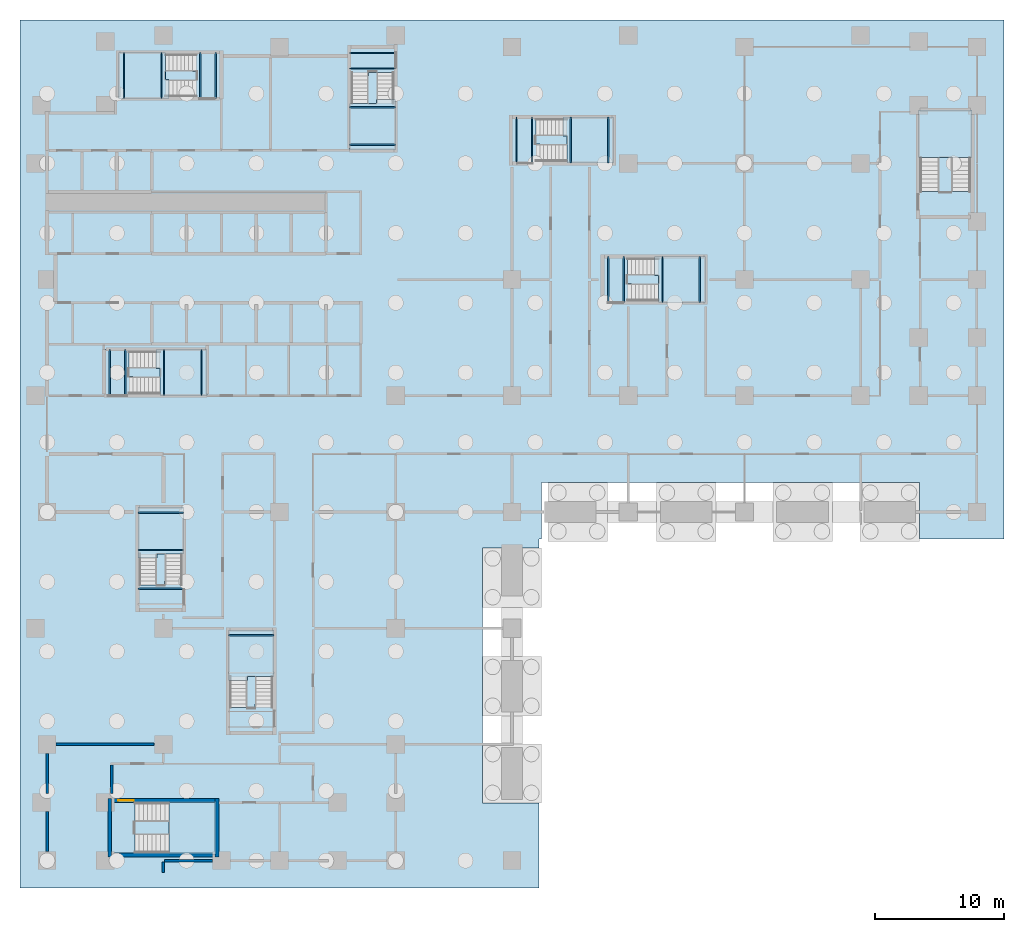
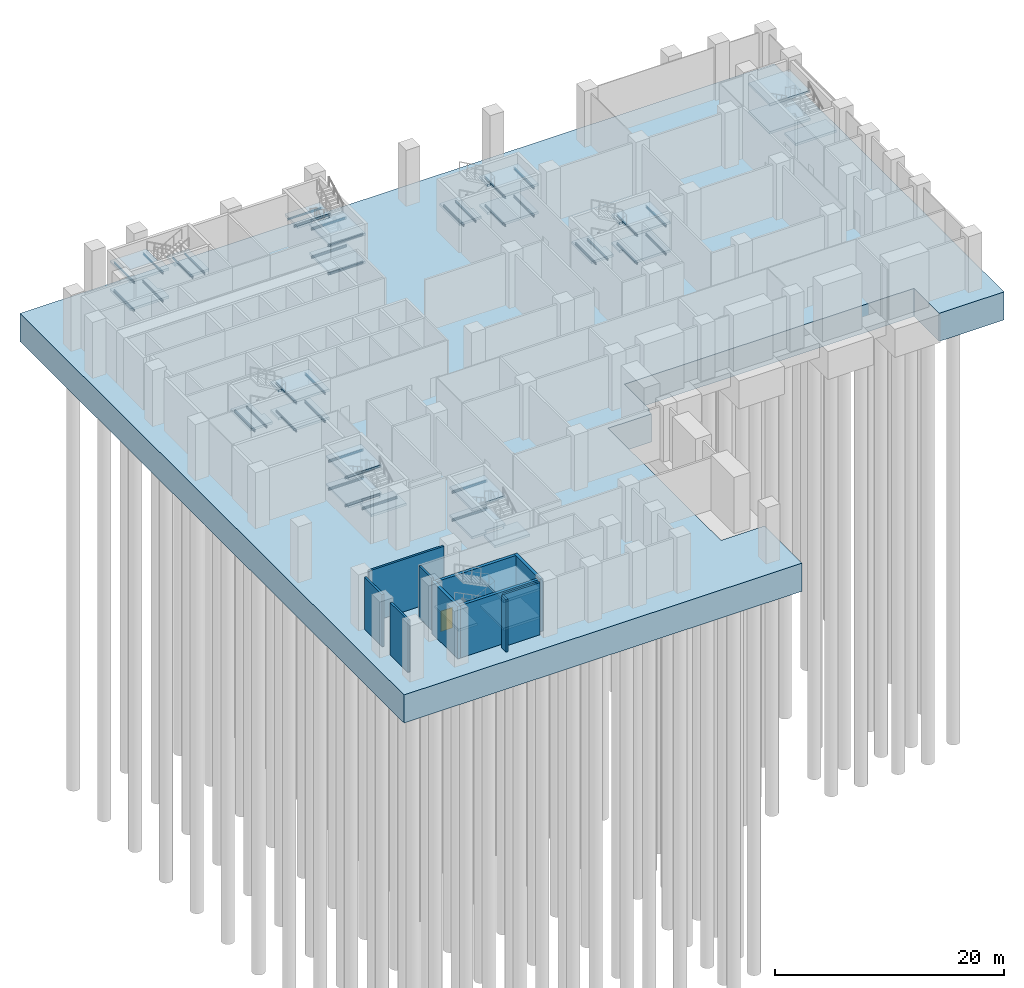
# One storey, part 2 of 12: 37 beams, 28 slabs, 10 walls, 1 door, 1 opening, 9 elements without a shape of their own.
"""IFC4 building model written with IfcOpenShell, lengths in metres."""

from ifc_helpers import new_model, si_unit, direction, frame, frame_2d, origin, origin_2d, place, context, subcontext, project, spatial, polyline, rectangle, i_section, outline, extrude, material, layer, layer_set, material_profile, profile_set, type_object, element, fill, aggregate, save


model = new_model("IFC4")

# Units and contexts
model_context = context("Model", 3, precision=1e-05, world=origin(), true_north=direction((0.0, 1.0)))
body_context = subcontext(model_context, "Body", "Model", "MODEL_VIEW")
ifc_project = project(units=[si_unit("LENGTHUNIT", "METRE"), si_unit("AREAUNIT", "SQUARE_METRE"), si_unit("VOLUMEUNIT", "CUBIC_METRE"), si_unit("PLANEANGLEUNIT", "RADIAN"), si_unit("MASSUNIT", "GRAM", prefix="KILO")], contexts=[model_context])

# Site, building, storey
site_placement = place(None, origin())
site = spatial("IfcSite", under=ifc_project, at=site_placement, CompositionType="ELEMENT")
building_placement = place(site_placement, origin())
building = spatial("IfcBuilding", under=site, at=building_placement, Name="Brondeck Convention Tower", CompositionType="ELEMENT")
storey_placement = place(building_placement, frame((0.0, 0.0, -6.0)))
storey = spatial("IfcBuildingStorey", under=building, at=storey_placement, Name="B1", CompositionType="ELEMENT", Elevation=-6.0)

# Beams
ifc_material_1 = material(Name="Steel S355", Category="steel")
ifc_material_profile = material_profile(ifc_material_1, i_section(OverallWidth=0.10009765625, OverallDepth=0.199951171875, WebThickness=0.005615234375, FlangeThickness=0.008544921875, FilletRadius=0.011962890625, at=origin_2d()), Name="IPE200")
ifc_profile_set = profile_set([ifc_material_profile], Name="Steel S355")
beam_type = type_object("IfcBeamType", Name="Landing ledger beam IPE 200", PredefinedType="BEAM", material=ifc_profile_set)
for number, where, z_axis, x_axis, name in (
    (1, (9.050048828125, 36.030029296875, 1.14990234375), (0.0, 1.0, 0.0), (-1.0, 0.0, 0.0), "B1 ST-1 landing beam"),
    (2, (11.949951171875, 36.030029296875, 1.14990234375), (0.0, 1.0, 0.0), (-1.0, 0.0, 0.0), "B1 ST-1 landing beam"),
    (3, (4.85009765625, 36.030029296875, 2.64990234375), (0.0, 1.0, 0.0), (-1.0, 0.0, 0.0), "B1 ST-1 landing beam"),
    (4, (6.050048828125, 36.030029296875, 2.64990234375), (0.0, 1.0, 0.0), (-1.0, 0.0, 0.0), "B1 ST-1 landing beam"),
    (5, (9.050048828125, 36.030029296875, 4.14990234375), (0.0, 1.0, 0.0), (-1.0, 0.0, 0.0), "B1 ST-1 landing beam"),
    (6, (11.949951171875, 36.030029296875, 4.14990234375), (0.0, 1.0, 0.0), (-1.0, 0.0, 0.0), "B1 ST-1 landing beam"),
    (7, (23.429931640625, 58.35009765625, 1.14990234375), (1.0, 0.0, 0.0), (0.0, 1.0, 0.0), "B1 ST-2 landing beam"),
    (8, (23.429931640625, 55.449951171875, 1.14990234375), (1.0, 0.0, 0.0), (0.0, 1.0, 0.0), "B1 ST-2 landing beam"),
    (9, (23.429931640625, 62.550048828125, 2.64990234375), (1.0, 0.0, 0.0), (0.0, 1.0, 0.0), "B1 ST-2 landing beam"),
    (10, (23.429931640625, 61.35009765625, 2.64990234375), (1.0, 0.0, 0.0), (0.0, 1.0, 0.0), "B1 ST-2 landing beam"),
    (11, (23.429931640625, 58.35009765625, 4.14990234375), (1.0, 0.0, 0.0), (0.0, 1.0, 0.0), "B1 ST-2 landing beam"),
    (12, (23.429931640625, 55.449951171875, 4.14990234375), (1.0, 0.0, 0.0), (0.0, 1.0, 0.0), "B1 ST-2 landing beam"),
    (13, (8.85009765625, 62.570068359375, 1.14990234375), (0.0, -1.0, 0.0), (1.0, 0.0, 0.0), "B1 ST-3 landing beam"),
    (14, (5.949951171875, 62.570068359375, 1.14990234375), (0.0, -1.0, 0.0), (1.0, 0.0, 0.0), "B1 ST-3 landing beam"),
    (15, (13.050048828125, 62.570068359375, 2.64990234375), (0.0, -1.0, 0.0), (1.0, 0.0, 0.0), "B1 ST-3 landing beam"),
    (16, (11.85009765625, 62.570068359375, 2.64990234375), (0.0, -1.0, 0.0), (1.0, 0.0, 0.0), "B1 ST-3 landing beam"),
    (17, (8.85009765625, 62.570068359375, 4.14990234375), (0.0, -1.0, 0.0), (1.0, 0.0, 0.0), "B1 ST-3 landing beam"),
    (18, (5.949951171875, 62.570068359375, 4.14990234375), (0.0, -1.0, 0.0), (1.0, 0.0, 0.0), "B1 ST-3 landing beam"),
    (19, (40.550048828125, 54.030029296875, 1.14990234375), (0.0, 1.0, 0.0), (-1.0, 0.0, 0.0), "B1 ST-AE landing beam"),
    (20, (43.449951171875, 54.030029296875, 1.14990234375), (0.0, 1.0, 0.0), (-1.0, 0.0, 0.0), "B1 ST-AE landing beam"),
    (21, (36.35009765625, 54.030029296875, 2.64990234375), (0.0, 1.0, 0.0), (-1.0, 0.0, 0.0), "B1 ST-AE landing beam"),
    (22, (37.550048828125, 54.030029296875, 2.64990234375), (0.0, 1.0, 0.0), (-1.0, 0.0, 0.0), "B1 ST-AE landing beam"),
    (23, (40.550048828125, 54.030029296875, 4.14990234375), (0.0, 1.0, 0.0), (-1.0, 0.0, 0.0), "B1 ST-AE landing beam"),
    (24, (43.449951171875, 54.030029296875, 4.14990234375), (0.0, 1.0, 0.0), (-1.0, 0.0, 0.0), "B1 ST-AE landing beam"),
    (25, (10.570068359375, 24.050048828125, 1.14990234375), (-1.0, 0.0, 0.0), (0.0, -1.0, 0.0), "B1 ST-BE landing beam"),
    (26, (10.570068359375, 26.949951171875, 1.14990234375), (-1.0, 0.0, 0.0), (0.0, -1.0, 0.0), "B1 ST-BE landing beam"),
    (27, (10.570068359375, 21.050048828125, 2.64990234375), (-1.0, 0.0, 0.0), (0.0, -1.0, 0.0), "B1 ST-BE landing beam"),
    (28, (10.570068359375, 24.050048828125, 4.14990234375), (-1.0, 0.0, 0.0), (0.0, -1.0, 0.0), "B1 ST-BE landing beam"),
    (29, (10.570068359375, 26.949951171875, 4.14990234375), (-1.0, 0.0, 0.0), (0.0, -1.0, 0.0), "B1 ST-BE landing beam"),
    (30, (47.64990234375, 43.22998046875, 1.14990234375), (0.0, 1.0, 0.0), (-1.0, 0.0, 0.0), "B1 ST-AF landing beam"),
    (31, (50.550048828125, 43.22998046875, 1.14990234375), (0.0, 1.0, 0.0), (-1.0, 0.0, 0.0), "B1 ST-AF landing beam"),
    (32, (43.449951171875, 43.22998046875, 2.64990234375), (0.0, 1.0, 0.0), (-1.0, 0.0, 0.0), "B1 ST-AF landing beam"),
    (33, (44.64990234375, 43.22998046875, 2.64990234375), (0.0, 1.0, 0.0), (-1.0, 0.0, 0.0), "B1 ST-AF landing beam"),
    (34, (47.64990234375, 43.22998046875, 4.14990234375), (0.0, 1.0, 0.0), (-1.0, 0.0, 0.0), "B1 ST-AF landing beam"),
    (35, (50.550048828125, 43.22998046875, 4.14990234375), (0.0, 1.0, 0.0), (-1.0, 0.0, 0.0), "B1 ST-AF landing beam"),
    (36, (17.570068359375, 17.449951171875, 1.14990234375), (-1.0, 0.0, 0.0), (0.0, -1.0, 0.0), "B1 ST-BF landing beam"),
    (37, (17.570068359375, 17.449951171875, 4.14990234375), (-1.0, 0.0, 0.0), (0.0, -1.0, 0.0), "B1 ST-BF landing beam"),
):
    element("IfcBeam", number, at=place(storey_placement, frame(where, z_axis=z_axis, x_axis=x_axis)), inside=storey, type_object=beam_type, Name=name, PredefinedType="BEAM", context=body_context, shape_type="SweptSolid", body=[
        extrude(i_section(OverallWidth=0.10009765625, OverallDepth=0.199951171875, WebThickness=0.005615234375, FlangeThickness=0.008544921875, FilletRadius=0.011962890625, at=origin_2d()), origin(), (0.0, 0.0, 1.0), 3.5400390625),
    ])

# Stair, slabs
ifc_material_2 = material(Name="Precast concrete C50/60", Category="concrete")
stair_type_1 = type_object("IfcStairType", Name="Core stair 36 risers 166.67 mm riser 300 mm going 1350 wide", PredefinedType="HALF_TURN_STAIR", material=ifc_material_2)
stair_1_placement = place(storey_placement, origin())
stair_1 = element("IfcStair", 38, at=stair_1_placement, inside=storey, type_object=stair_type_1, Name="ST-1 B1 stair", PredefinedType="HALF_TURN_STAIR")
ifc_layer_1 = layer(ifc_material_2, 0.25)
ifc_layer_set_1 = layer_set([ifc_layer_1], Name="Core stair landing 250 Precast concrete C50/60")
slab_type_1 = type_object("IfcSlabType", Name="Core stair landing 250 Precast concrete C50/60", PredefinedType="LANDING", material=ifc_layer_set_1)
slab_1_placement = place(storey_placement, frame((0.0, 0.0, 1.25)))
slab_1 = element("IfcSlab", 39, at=slab_1_placement, type_object=slab_type_1, Name="ST-1 landing 1", PredefinedType="LANDING", context=body_context, shape_type="SweptSolid", body=[
    extrude(outline(polyline([(8.748046875, 37.5), (8.75, 37.5), (8.75, 38.10009765625), (8.449951171875, 38.10009765625), (8.449951171875, 39.570068359375), (12.3701171875, 39.570068359375), (12.3701171875, 36.030029296875), (8.748046875, 36.030029296875), (8.748046875, 37.5)])), origin(), (0.0, 0.0, 1.0), 0.25),
])
slab_2_placement = place(storey_placement, frame((0.0, 0.0, 2.75)))
slab_2 = element("IfcSlab", 40, at=slab_2_placement, type_object=slab_type_1, Name="ST-1 landing 2", PredefinedType="LANDING", context=body_context, shape_type="SweptSolid", body=[
    extrude(outline(polyline([(6.64990234375, 37.5), (6.64990234375, 36.030029296875), (4.429931640625, 36.030029296875), (4.429931640625, 39.570068359375), (6.35205078125, 39.570068359375), (6.35205078125, 38.10009765625), (6.35009765625, 38.10009765625), (6.35009765625, 37.5), (6.64990234375, 37.5)])), origin(), (0.0, 0.0, 1.0), 0.25),
])
slab_3_placement = place(storey_placement, frame((0.0, 0.0, 4.25)))
slab_3 = element("IfcSlab", 41, at=slab_3_placement, type_object=slab_type_1, Name="ST-1 landing 3", PredefinedType="LANDING", context=body_context, shape_type="SweptSolid", body=[
    extrude(outline(polyline([(8.748046875, 37.5), (8.75, 37.5), (8.75, 38.10009765625), (8.449951171875, 38.10009765625), (8.449951171875, 39.570068359375), (12.3701171875, 39.570068359375), (12.3701171875, 36.030029296875), (8.748046875, 36.030029296875), (8.748046875, 37.5)])), origin(), (0.0, 0.0, 1.0), 0.25),
])
aggregate(stair_1, [slab_1, slab_2, slab_3])

stair_2_placement = place(storey_placement, origin())
stair_2 = element("IfcStair", 42, at=stair_2_placement, inside=storey, type_object=stair_type_1, Name="ST-2 B1 stair", PredefinedType="HALF_TURN_STAIR")
slab_4_placement = place(storey_placement, frame((0.0, 0.0, 1.25)))
slab_4 = element("IfcSlab", 43, at=slab_4_placement, type_object=slab_type_1, Name="ST-2 landing 1", PredefinedType="LANDING", context=body_context, shape_type="SweptSolid", body=[
    extrude(outline(polyline([(23.429931640625, 58.652099609375), (24.89990234375, 58.652099609375), (24.89990234375, 58.64990234375), (25.5, 58.64990234375), (25.5, 58.949951171875), (26.969970703125, 58.949951171875), (26.969970703125, 55.030029296875), (23.429931640625, 55.030029296875), (23.429931640625, 58.652099609375)])), origin(), (0.0, 0.0, 1.0), 0.25),
])
slab_5_placement = place(storey_placement, frame((0.0, 0.0, 2.75)))
slab_5 = element("IfcSlab", 44, at=slab_5_placement, type_object=slab_type_1, Name="ST-2 landing 2", PredefinedType="LANDING", context=body_context, shape_type="SweptSolid", body=[
    extrude(outline(polyline([(23.429931640625, 62.969970703125), (26.969970703125, 62.969970703125), (26.969970703125, 61.048095703125), (25.5, 61.048095703125), (25.5, 61.050048828125), (24.89990234375, 61.050048828125), (24.89990234375, 60.75), (23.429931640625, 60.75), (23.429931640625, 62.969970703125)])), origin(), (0.0, 0.0, 1.0), 0.25),
])
slab_6_placement = place(storey_placement, frame((0.0, 0.0, 4.25)))
slab_6 = element("IfcSlab", 45, at=slab_6_placement, type_object=slab_type_1, Name="ST-2 landing 3", PredefinedType="LANDING", context=body_context, shape_type="SweptSolid", body=[
    extrude(outline(polyline([(23.429931640625, 58.652099609375), (24.89990234375, 58.652099609375), (24.89990234375, 58.64990234375), (25.5, 58.64990234375), (25.5, 58.949951171875), (26.969970703125, 58.949951171875), (26.969970703125, 55.030029296875), (23.429931640625, 55.030029296875), (23.429931640625, 58.652099609375)])), origin(), (0.0, 0.0, 1.0), 0.25),
])
aggregate(stair_2, [slab_4, slab_5, slab_6])

stair_3_placement = place(storey_placement, origin())
stair_3 = element("IfcStair", 46, at=stair_3_placement, inside=storey, type_object=stair_type_1, Name="ST-3 B1 stair", PredefinedType="HALF_TURN_STAIR")
slab_7_placement = place(storey_placement, frame((0.0, 0.0, 1.25)))
slab_7 = element("IfcSlab", 47, at=slab_7_placement, type_object=slab_type_1, Name="ST-3 landing 1", PredefinedType="LANDING", context=body_context, shape_type="SweptSolid", body=[
    extrude(outline(polyline([(9.449951171875, 60.5), (9.449951171875, 59.030029296875), (5.530029296875, 59.030029296875), (5.530029296875, 62.570068359375), (9.152099609375, 62.570068359375), (9.152099609375, 61.10009765625), (9.14990234375, 61.10009765625), (9.14990234375, 60.5), (9.449951171875, 60.5)])), origin(), (0.0, 0.0, 1.0), 0.25),
])
slab_8_placement = place(storey_placement, frame((0.0, 0.0, 2.75)))
slab_8 = element("IfcSlab", 48, at=slab_8_placement, type_object=slab_type_1, Name="ST-3 landing 2", PredefinedType="LANDING", context=body_context, shape_type="SweptSolid", body=[
    extrude(outline(polyline([(11.548095703125, 60.5), (11.550048828125, 60.5), (11.550048828125, 61.10009765625), (11.25, 61.10009765625), (11.25, 62.570068359375), (13.469970703125, 62.570068359375), (13.469970703125, 59.030029296875), (11.548095703125, 59.030029296875), (11.548095703125, 60.5)])), origin(), (0.0, 0.0, 1.0), 0.25),
])
slab_9_placement = place(storey_placement, frame((0.0, 0.0, 4.25)))
slab_9 = element("IfcSlab", 49, at=slab_9_placement, type_object=slab_type_1, Name="ST-3 landing 3", PredefinedType="LANDING", context=body_context, shape_type="SweptSolid", body=[
    extrude(outline(polyline([(9.449951171875, 60.5), (9.449951171875, 59.030029296875), (5.530029296875, 59.030029296875), (5.530029296875, 62.570068359375), (9.152099609375, 62.570068359375), (9.152099609375, 61.10009765625), (9.14990234375, 61.10009765625), (9.14990234375, 60.5), (9.449951171875, 60.5)])), origin(), (0.0, 0.0, 1.0), 0.25),
])
aggregate(stair_3, [slab_7, slab_8, slab_9])

stair_4_placement = place(storey_placement, origin())
stair_4 = element("IfcStair", 50, at=stair_4_placement, inside=storey, type_object=stair_type_1, Name="ST-AE B1 stair", PredefinedType="HALF_TURN_STAIR")
slab_10_placement = place(storey_placement, frame((0.0, 0.0, 1.25)))
slab_10 = element("IfcSlab", 51, at=slab_10_placement, type_object=slab_type_1, Name="ST-AE landing 1", PredefinedType="LANDING", context=body_context, shape_type="SweptSolid", body=[
    extrude(outline(polyline([(40.248046875, 55.5), (40.25, 55.5), (40.25, 56.10009765625), (39.949951171875, 56.10009765625), (39.949951171875, 57.570068359375), (43.8701171875, 57.570068359375), (43.8701171875, 54.030029296875), (40.248046875, 54.030029296875), (40.248046875, 55.5)])), origin(), (0.0, 0.0, 1.0), 0.25),
])
slab_11_placement = place(storey_placement, frame((0.0, 0.0, 2.75)))
slab_11 = element("IfcSlab", 52, at=slab_11_placement, type_object=slab_type_1, Name="ST-AE landing 2", PredefinedType="LANDING", context=body_context, shape_type="SweptSolid", body=[
    extrude(outline(polyline([(38.14990234375, 55.5), (38.14990234375, 54.030029296875), (35.929931640625, 54.030029296875), (35.929931640625, 57.570068359375), (37.85205078125, 57.570068359375), (37.85205078125, 56.10009765625), (37.85009765625, 56.10009765625), (37.85009765625, 55.5), (38.14990234375, 55.5)])), origin(), (0.0, 0.0, 1.0), 0.25),
])
slab_12_placement = place(storey_placement, frame((0.0, 0.0, 4.25)))
slab_12 = element("IfcSlab", 53, at=slab_12_placement, type_object=slab_type_1, Name="ST-AE landing 3", PredefinedType="LANDING", context=body_context, shape_type="SweptSolid", body=[
    extrude(outline(polyline([(40.248046875, 55.5), (40.25, 55.5), (40.25, 56.10009765625), (39.949951171875, 56.10009765625), (39.949951171875, 57.570068359375), (43.8701171875, 57.570068359375), (43.8701171875, 54.030029296875), (40.248046875, 54.030029296875), (40.248046875, 55.5)])), origin(), (0.0, 0.0, 1.0), 0.25),
])
aggregate(stair_4, [slab_10, slab_11, slab_12])

stair_5_placement = place(storey_placement, origin())
stair_5 = element("IfcStair", 54, at=stair_5_placement, inside=storey, type_object=stair_type_1, Name="ST-BE B1 stair", PredefinedType="HALF_TURN_STAIR")
slab_13_placement = place(storey_placement, frame((0.0, 0.0, 1.25)))
slab_13 = element("IfcSlab", 55, at=slab_13_placement, type_object=slab_type_1, Name="ST-BE landing 1", PredefinedType="LANDING", context=body_context, shape_type="SweptSolid", body=[
    extrude(outline(polyline([(7.030029296875, 23.449951171875), (7.030029296875, 27.3701171875), (10.570068359375, 27.3701171875), (10.570068359375, 23.748046875), (9.10009765625, 23.748046875), (9.10009765625, 23.75), (8.5, 23.75), (8.5, 23.449951171875), (7.030029296875, 23.449951171875)])), origin(), (0.0, 0.0, 1.0), 0.25),
])
slab_14_placement = place(storey_placement, frame((0.0, 0.0, 2.75)))
slab_14 = element("IfcSlab", 56, at=slab_14_placement, type_object=slab_type_1, Name="ST-BE landing 2", PredefinedType="LANDING", context=body_context, shape_type="SweptSolid", body=[
    extrude(outline(polyline([(10.570068359375, 19.429931640625), (7.030029296875, 19.429931640625), (7.030029296875, 21.35205078125), (8.5, 21.35205078125), (8.5, 21.35009765625), (9.10009765625, 21.35009765625), (9.10009765625, 21.64990234375), (10.570068359375, 21.64990234375), (10.570068359375, 19.429931640625)])), origin(), (0.0, 0.0, 1.0), 0.25),
])
slab_15_placement = place(storey_placement, frame((0.0, 0.0, 4.25)))
slab_15 = element("IfcSlab", 57, at=slab_15_placement, type_object=slab_type_1, Name="ST-BE landing 3", PredefinedType="LANDING", context=body_context, shape_type="SweptSolid", body=[
    extrude(outline(polyline([(7.030029296875, 23.449951171875), (7.030029296875, 27.3701171875), (10.570068359375, 27.3701171875), (10.570068359375, 23.748046875), (9.10009765625, 23.748046875), (9.10009765625, 23.75), (8.5, 23.75), (8.5, 23.449951171875), (7.030029296875, 23.449951171875)])), origin(), (0.0, 0.0, 1.0), 0.25),
])
aggregate(stair_5, [slab_13, slab_14, slab_15])

stair_6_placement = place(storey_placement, origin())
stair_6 = element("IfcStair", 58, at=stair_6_placement, inside=storey, type_object=stair_type_1, Name="ST-AF B1 stair", PredefinedType="HALF_TURN_STAIR")
slab_16_placement = place(storey_placement, frame((0.0, 0.0, 1.25)))
slab_16 = element("IfcSlab", 59, at=slab_16_placement, type_object=slab_type_1, Name="ST-AF landing 1", PredefinedType="LANDING", context=body_context, shape_type="SweptSolid", body=[
    extrude(outline(polyline([(47.347900390625, 44.699951171875), (47.35009765625, 44.699951171875), (47.35009765625, 45.300048828125), (47.050048828125, 45.300048828125), (47.050048828125, 46.77001953125), (50.969970703125, 46.77001953125), (50.969970703125, 43.22998046875), (47.347900390625, 43.22998046875), (47.347900390625, 44.699951171875)])), origin(), (0.0, 0.0, 1.0), 0.25),
])
slab_17_placement = place(storey_placement, frame((0.0, 0.0, 2.75)))
slab_17 = element("IfcSlab", 60, at=slab_17_placement, type_object=slab_type_1, Name="ST-AF landing 2", PredefinedType="LANDING", context=body_context, shape_type="SweptSolid", body=[
    extrude(outline(polyline([(45.25, 44.699951171875), (45.25, 43.22998046875), (43.030029296875, 43.22998046875), (43.030029296875, 46.77001953125), (44.951904296875, 46.77001953125), (44.951904296875, 45.300048828125), (44.949951171875, 45.300048828125), (44.949951171875, 44.699951171875), (45.25, 44.699951171875)])), origin(), (0.0, 0.0, 1.0), 0.25),
])
slab_18_placement = place(storey_placement, frame((0.0, 0.0, 4.25)))
slab_18 = element("IfcSlab", 61, at=slab_18_placement, type_object=slab_type_1, Name="ST-AF landing 3", PredefinedType="LANDING", context=body_context, shape_type="SweptSolid", body=[
    extrude(outline(polyline([(47.347900390625, 44.699951171875), (47.35009765625, 44.699951171875), (47.35009765625, 45.300048828125), (47.050048828125, 45.300048828125), (47.050048828125, 46.77001953125), (50.969970703125, 46.77001953125), (50.969970703125, 43.22998046875), (47.347900390625, 43.22998046875), (47.347900390625, 44.699951171875)])), origin(), (0.0, 0.0, 1.0), 0.25),
])
aggregate(stair_6, [slab_16, slab_17, slab_18])

stair_7_placement = place(storey_placement, origin())
stair_7 = element("IfcStair", 62, at=stair_7_placement, inside=storey, type_object=stair_type_1, Name="ST-BF B1 stair", PredefinedType="HALF_TURN_STAIR")
slab_19_placement = place(storey_placement, frame((0.0, 0.0, 1.25)))
slab_19 = element("IfcSlab", 63, at=slab_19_placement, type_object=slab_type_1, Name="ST-BF landing 1", PredefinedType="LANDING", context=body_context, shape_type="SweptSolid", body=[
    extrude(outline(polyline([(14.030029296875, 13.949951171875), (14.030029296875, 17.8701171875), (17.570068359375, 17.8701171875), (17.570068359375, 14.248046875), (16.10009765625, 14.248046875), (16.10009765625, 14.25), (15.5, 14.25), (15.5, 13.949951171875), (14.030029296875, 13.949951171875)])), origin(), (0.0, 0.0, 1.0), 0.25),
])
slab_20_placement = place(storey_placement, frame((0.0, 0.0, 2.75)))
slab_20 = element("IfcSlab", 64, at=slab_20_placement, type_object=slab_type_1, Name="ST-BF landing 2", PredefinedType="LANDING", context=body_context, shape_type="SweptSolid", body=[
    extrude(outline(polyline([(17.570068359375, 9.929931640625), (14.030029296875, 9.929931640625), (14.030029296875, 11.85205078125), (15.5, 11.85205078125), (15.5, 11.85009765625), (16.10009765625, 11.85009765625), (16.10009765625, 12.14990234375), (17.570068359375, 12.14990234375), (17.570068359375, 9.929931640625)])), origin(), (0.0, 0.0, 1.0), 0.25),
])
slab_21_placement = place(storey_placement, frame((0.0, 0.0, 4.25)))
slab_21 = element("IfcSlab", 65, at=slab_21_placement, type_object=slab_type_1, Name="ST-BF landing 3", PredefinedType="LANDING", context=body_context, shape_type="SweptSolid", body=[
    extrude(outline(polyline([(14.030029296875, 13.949951171875), (14.030029296875, 17.8701171875), (17.570068359375, 17.8701171875), (17.570068359375, 14.248046875), (16.10009765625, 14.248046875), (16.10009765625, 14.25), (15.5, 14.25), (15.5, 13.949951171875), (14.030029296875, 13.949951171875)])), origin(), (0.0, 0.0, 1.0), 0.25),
])
aggregate(stair_7, [slab_19, slab_20, slab_21])

stair_type_2 = type_object("IfcStairType", Name="Core stair 36 risers 166.67 mm riser 330 mm going 1500 wide", PredefinedType="HALF_TURN_STAIR", material=ifc_material_2)
stair_8_placement = place(storey_placement, origin())
stair_8 = element("IfcStair", 66, at=stair_8_placement, inside=storey, type_object=stair_type_2, Name="PS-1 B1 stair", PredefinedType="HALF_TURN_STAIR")
slab_22_placement = place(storey_placement, frame((0.0, 0.0, 1.25)))
slab_22 = element("IfcSlab", 67, at=slab_22_placement, type_object=slab_type_1, Name="PS-1 landing 1", PredefinedType="LANDING", context=body_context, shape_type="SweptSolid", body=[
    extrude(outline(polyline([(69.10009765625, 54.43798828125), (67.47998046875, 54.43798828125), (67.47998046875, 58.1201171875), (71.6201171875, 58.1201171875), (71.6201171875, 54.43798828125), (70.0, 54.43798828125), (70.0, 54.43994140625), (69.10009765625, 54.43994140625), (69.10009765625, 54.43798828125)])), origin(), (0.0, 0.0, 1.0), 0.25),
])
slab_23_placement = place(storey_placement, frame((0.0, 0.0, 2.75)))
slab_23 = element("IfcSlab", 68, at=slab_23_placement, type_object=slab_type_1, Name="PS-1 landing 2", PredefinedType="LANDING", context=body_context, shape_type="SweptSolid", body=[
    extrude(outline(polyline([(71.6201171875, 49.8798828125), (67.47998046875, 49.8798828125), (67.47998046875, 51.802001953125), (69.10009765625, 51.802001953125), (69.10009765625, 51.800048828125), (70.0, 51.800048828125), (70.0, 51.802001953125), (71.6201171875, 51.802001953125), (71.6201171875, 49.8798828125)])), origin(), (0.0, 0.0, 1.0), 0.25),
])
slab_24_placement = place(storey_placement, frame((0.0, 0.0, 4.25)))
slab_24 = element("IfcSlab", 69, at=slab_24_placement, type_object=slab_type_1, Name="PS-1 landing 3", PredefinedType="LANDING", context=body_context, shape_type="SweptSolid", body=[
    extrude(outline(polyline([(69.10009765625, 54.43798828125), (67.47998046875, 54.43798828125), (67.47998046875, 58.1201171875), (71.6201171875, 58.1201171875), (71.6201171875, 54.43798828125), (70.0, 54.43798828125), (70.0, 54.43994140625), (69.10009765625, 54.43994140625), (69.10009765625, 54.43798828125)])), origin(), (0.0, 0.0, 1.0), 0.25),
])
aggregate(stair_8, [slab_22, slab_23, slab_24])

stair_9_placement = place(storey_placement, origin())
stair_9 = element("IfcStair", 70, at=stair_9_placement, inside=storey, type_object=stair_type_2, Name="PS-2 B1 stair", PredefinedType="HALF_TURN_STAIR")
slab_25_placement = place(storey_placement, frame((0.0, 0.0, 1.25)))
slab_25 = element("IfcSlab", 71, at=slab_25_placement, type_object=slab_type_1, Name="PS-2 landing 1", PredefinedType="LANDING", context=body_context, shape_type="SweptSolid", body=[
    extrude(outline(polyline([(9.43798828125, 0.47998046875), (9.43798828125, 2.10009765625), (9.43994140625, 2.10009765625), (9.43994140625, 3.0), (9.43798828125, 3.0), (9.43798828125, 4.6201171875), (13.1201171875, 4.6201171875), (13.1201171875, 0.47998046875), (9.43798828125, 0.47998046875)])), origin(), (0.0, 0.0, 1.0), 0.25),
])
slab_26_placement = place(storey_placement, frame((0.0, 0.0, 2.75)))
slab_26 = element("IfcSlab", 72, at=slab_26_placement, type_object=slab_type_1, Name="PS-2 landing 2", PredefinedType="LANDING", context=body_context, shape_type="SweptSolid", body=[
    extrude(outline(polyline([(4.8798828125, 0.47998046875), (4.8798828125, 4.6201171875), (6.802001953125, 4.6201171875), (6.802001953125, 3.0), (6.800048828125, 3.0), (6.800048828125, 2.10009765625), (6.802001953125, 2.10009765625), (6.802001953125, 0.47998046875), (4.8798828125, 0.47998046875)])), origin(), (0.0, 0.0, 1.0), 0.25),
])
slab_27_placement = place(storey_placement, frame((0.0, 0.0, 4.25)))
slab_27 = element("IfcSlab", 73, at=slab_27_placement, type_object=slab_type_1, Name="PS-2 landing 3", PredefinedType="LANDING", context=body_context, shape_type="SweptSolid", body=[
    extrude(outline(polyline([(9.43798828125, 0.47998046875), (9.43798828125, 2.10009765625), (9.43994140625, 2.10009765625), (9.43994140625, 3.0), (9.43798828125, 3.0), (9.43798828125, 4.6201171875), (13.1201171875, 4.6201171875), (13.1201171875, 0.47998046875), (9.43798828125, 0.47998046875)])), origin(), (0.0, 0.0, 1.0), 0.25),
])
aggregate(stair_9, [slab_25, slab_26, slab_27])

# Slab
ifc_material_3 = material(Name="Concrete C40/50", Category="concrete")
ifc_layer_2 = layer(ifc_material_3, 3.0)
ifc_layer_set_2 = layer_set([ifc_layer_2], Name="Piled raft 3000")
slab_type_2 = type_object("IfcSlabType", Name="Piled raft 3000", PredefinedType="BASESLAB", material=ifc_layer_set_2)
slab_28_placement = place(storey_placement, frame((0.0, 0.0, -3.0)))
element("IfcSlab", 74, at=slab_28_placement, inside=storey, type_object=slab_type_2, Name="STR-RAFT", PredefinedType="BASESLAB", context=body_context, shape_type="SweptSolid", body=[
    extrude(outline(polyline([(-2.10009765625, 65.10009765625), (74.10009765625, 65.10009765625), (74.10009765625, 24.89990234375), (67.550048828125, 24.89990234375), (67.550048828125, 29.300048828125), (38.300048828125, 29.300048828125), (38.300048828125, 24.89990234375), (38.10009765625, 24.89990234375), (38.10009765625, 24.199951171875), (33.699951171875, 24.199951171875), (33.699951171875, 4.449951171875), (38.10009765625, 4.449951171875), (38.10009765625, -2.10009765625), (-2.10009765625, -2.10009765625), (-2.10009765625, 65.10009765625)])), origin(), (0.0, 0.0, 1.0), 3.0),
])

# Walls
ifc_material_4 = material(Name="Concrete block wall C16/20", Category="concrete")
ifc_layer_3 = layer(ifc_material_4, 0.199951171875)
ifc_layer_set_3 = layer_set([ifc_layer_3], Name="Plant room wall 200")
wall_type_1 = type_object("IfcWallType", Name="Plant room wall 200", PredefinedType="PARTITIONING", material=ifc_layer_set_3)
wall_1_placement = place(storey_placement, frame((9.0, -0.10009765625, 0.0), z_axis=(0.0, 0.0, 1.0), x_axis=(0.0, -1.0, 0.0)))
element("IfcWall", 75, at=wall_1_placement, inside=storey, type_object=wall_type_1, Name="FLR-B1-W001", PredefinedType="PARTITIONING", context=body_context, shape_type="SweptSolid", body=[
    extrude(rectangle(XDim=0.829833984375, YDim=0.199951171875, at=frame_2d((0.4150390625, 0.0))), origin(), (0.0, 0.0, 1.0), 5.580078125),
])
wall_2_placement = place(storey_placement, frame((12.794921875, 0.0, 0.0), z_axis=(0.0, 0.0, 1.0), x_axis=(-1.0, 0.0, 0.0)))
element("IfcWall", 76, at=wall_2_placement, inside=storey, type_object=wall_type_1, Name="FLR-B1-W002", PredefinedType="PARTITIONING", context=body_context, shape_type="SweptSolid", body=[
    extrude(rectangle(XDim=3.69482421875, YDim=0.199951171875, at=frame_2d((1.847412109375, 0.0))), origin(), (0.0, 0.0, 1.0), 5.580078125),
])
for number, where, z_axis, x_axis, name in (
    (77, (0.0, 0.705078125, 0.0), (0.0, 0.0, 1.0), (0.0, 1.0, 0.0), "FLR-B1-W006"),
    (78, (0.0, 5.205078125, 0.0), (0.0, 0.0, 1.0), (0.0, 1.0, 0.0), "FLR-B1-W011"),
):
    element("IfcWall", number, at=place(storey_placement, frame(where, z_axis=z_axis, x_axis=x_axis)), inside=storey, type_object=wall_type_1, Name=name, PredefinedType="PARTITIONING", context=body_context, shape_type="SweptSolid", body=[
        extrude(rectangle(XDim=3.08984375, YDim=0.199951171875, at=frame_2d((1.544921875, 0.0))), origin(), (0.0, 0.0, 1.0), 5.580078125),
    ])
wall_3_placement = place(storey_placement, frame((5.0, 5.205078125, 0.0), z_axis=(0.0, 0.0, 1.0), x_axis=(0.0, 1.0, 0.0)))
element("IfcWall", 79, at=wall_3_placement, inside=storey, type_object=wall_type_1, Name="FLR-B1-W012", PredefinedType="PARTITIONING", context=body_context, shape_type="SweptSolid", body=[
    extrude(rectangle(XDim=2.19482421875, YDim=0.199951171875, at=frame_2d((1.097412109375, 0.0))), origin(), (0.0, 0.0, 1.0), 5.580078125),
])
wall_4_placement = place(storey_placement, frame((0.705078125, 9.0, 0.0), z_axis=(0.0, 0.0, 1.0), x_axis=(1.0, 0.0, 0.0)))
element("IfcWall", 80, at=wall_4_placement, inside=storey, type_object=wall_type_1, Name="FLR-B1-W020", PredefinedType="PARTITIONING", context=body_context, shape_type="SweptSolid", body=[
    extrude(rectangle(XDim=7.58984375, YDim=0.199951171875, at=frame_2d((3.794921875, 0.0))), origin(), (0.0, 0.0, 1.0), 5.580078125),
])
ifc_material_5 = material(Name="Concrete C80/95", Category="concrete")
ifc_layer_4 = layer(ifc_material_5, 0.300048828125)
ifc_layer_set_4 = layer_set([ifc_layer_4], Name="Stair enclosure wall 300 Concrete C80/95")
wall_type_2 = type_object("IfcWallType", Name="Stair enclosure wall 300 Concrete C80/95", PredefinedType="SHEAR", material=ifc_layer_set_4)
wall_5_placement = place(storey_placement, frame((5.0, 0.449951171875, 0.0), z_axis=(0.0, 0.0, 1.0), x_axis=(1.0, 0.0, 0.0)))
element("IfcWall", 81, at=wall_5_placement, inside=storey, type_object=wall_type_2, Name="B1 core wall", PredefinedType="SHEAR", context=body_context, shape_type="SweptSolid", body=[
    extrude(rectangle(XDim=8.0, YDim=0.300048828125, at=frame_2d((4.0, 0.0))), origin(), (0.0, 0.0, 1.0), 5.60009765625),
])

# Wall, opening, door
wall_6_placement = place(storey_placement, frame((5.0, 4.64990234375, 0.0), z_axis=(0.0, 0.0, 1.0), x_axis=(1.0, 0.0, 0.0)))
wall_6 = element("IfcWall", 82, at=wall_6_placement, inside=storey, type_object=wall_type_2, Name="B1 core wall", PredefinedType="SHEAR", context=body_context, shape_type="SweptSolid", body=[
    extrude(rectangle(XDim=8.0, YDim=0.300048828125, at=frame_2d((4.0, 0.0))), origin(), (0.0, 0.0, 1.0), 5.60009765625),
])
opening_placement = place(wall_6_placement, frame((0.5, 0.0, 0.0)))
opening = element("IfcOpeningElement", 83, at=opening_placement, cuts=wall_6, Name="Opening C01-15", PredefinedType="OPENING", context=body_context, shape_type="SweptSolid", body=[
    extrude(rectangle(XDim=1.199951171875, YDim=2.199951171875, at=frame_2d((0.60009765625, 1.10009765625))), frame((0.0, 0.159912109375, 0.0), z_axis=(0.0, -1.0, 0.0), x_axis=(1.0, 0.0, 0.0)), (0.0, 0.0, 1.0), 0.320068359375),
])
ifc_material_6 = material(Name="Steel fire door", Category="steel")
door_type = type_object("IfcDoorType", Name="Stair door 1200x2200 EI 90", OperationType="NOTDEFINED", PredefinedType="DOOR", material=ifc_material_6)
door_placement = place(opening_placement, origin())
door = element("IfcDoor", 84, at=door_placement, inside=storey, type_object=door_type, Name="B1 Stair door PS-2", OperationType="SINGLE_SWING_LEFT", OverallHeight=2.199951171875, OverallWidth=1.199951171875, PredefinedType="DOOR", context=body_context, shape_type="SweptSolid", body=[
    extrude(rectangle(XDim=1.199951171875, YDim=2.199951171875, at=frame_2d((0.60009765625, 1.10009765625))), frame((0.0, 0.02490234375, 0.0), z_axis=(0.0, -1.0, 0.0), x_axis=(1.0, 0.0, 0.0)), (0.0, 0.0, 1.0), 0.050048828125),
])
fill(opening, door)

# Walls
for number, where, z_axis, x_axis, name in (
    (85, (4.85009765625, 0.300048828125, 0.0), (0.0, 0.0, 1.0), (0.0, 1.0, 0.0), "B1 core wall"),
    (86, (13.14990234375, 0.300048828125, 0.0), (0.0, 0.0, 1.0), (0.0, 1.0, 0.0), "B1 core wall"),
):
    element("IfcWall", number, at=place(storey_placement, frame(where, z_axis=z_axis, x_axis=x_axis)), inside=storey, type_object=wall_type_2, Name=name, PredefinedType="SHEAR", context=body_context, shape_type="SweptSolid", body=[
        extrude(rectangle(XDim=4.5, YDim=0.300048828125, at=frame_2d((2.25, 0.0))), origin(), (0.0, 0.0, 1.0), 5.60009765625),
    ])

save(model, "model.ifc")
